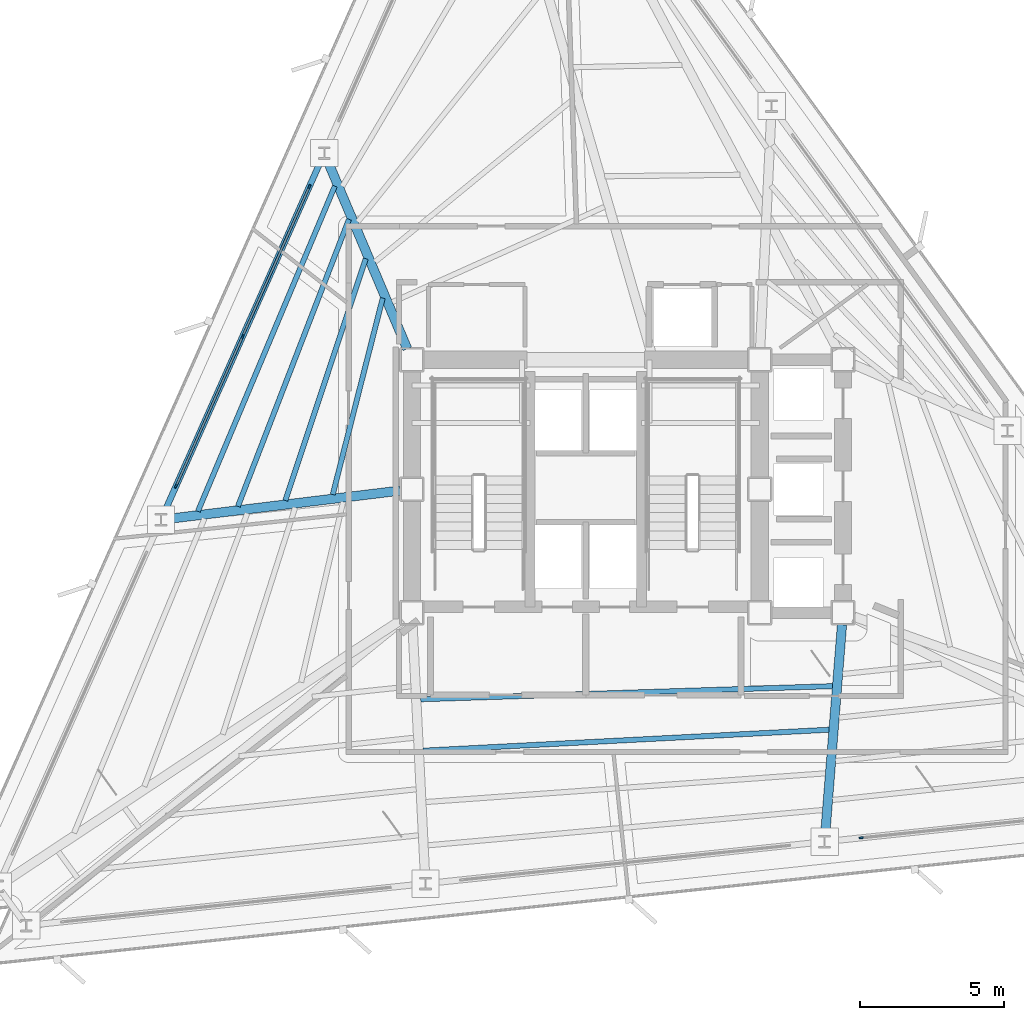
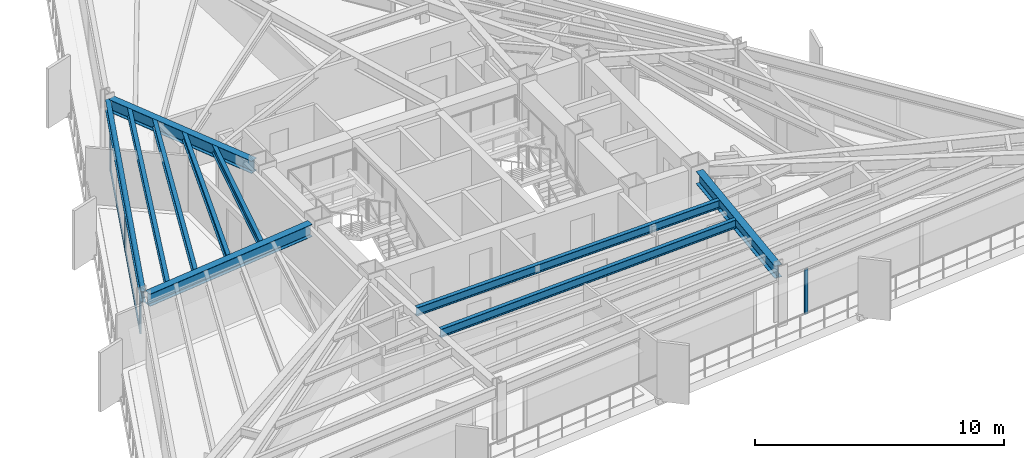
# One storey, part 3 of 12: 10 beams, 8 members, 2 elements without a shape of their own.
"""IFC4 building model written with IfcOpenShell, lengths in metres."""

from ifc_helpers import new_model, si_unit, direction, frame, origin, origin_2d, place, context, subcontext, project, spatial, rectangle, i_section, extrude, material, layer, layer_set, material_profile, profile_set, type_object, element, aggregate, save


model = new_model("IFC4")

# Units and contexts
model_context = context("Model", 3, precision=1e-05, world=origin(), true_north=direction((0.0, 1.0)))
body_context = subcontext(model_context, "Body", "Model", "MODEL_VIEW")
ifc_project = project(units=[si_unit("LENGTHUNIT", "METRE"), si_unit("AREAUNIT", "SQUARE_METRE"), si_unit("VOLUMEUNIT", "CUBIC_METRE"), si_unit("PLANEANGLEUNIT", "RADIAN"), si_unit("MASSUNIT", "GRAM", prefix="KILO")], contexts=[model_context])

# Site, building, storey
site_placement = place(None, origin())
site = spatial("IfcSite", under=ifc_project, at=site_placement, CompositionType="ELEMENT")
building_placement = place(site_placement, origin())
building = spatial("IfcBuilding", under=site, at=building_placement, Name="Rocaltana Carrier Exchange", CompositionType="ELEMENT")
storey_placement = place(building_placement, frame((0.0, 0.0, 104.639892578125)))
storey = spatial("IfcBuildingStorey", under=building, at=storey_placement, Name="L32", CompositionType="ELEMENT", Elevation=104.639892578125)

# Curtain wall, members
ifc_material_1 = material(Name="Aluminium 6063-T6", Category="aluminium")
ifc_layer = layer(ifc_material_1, 0.14990234375)
ifc_layer_set = layer_set([ifc_layer], Name="Aluminium 6063-T6")
curtain_wall_type = type_object("IfcCurtainWallType", Name="Mid-Tower Unitised Curtain Wall CW-03", PredefinedType="NOTDEFINED", material=ifc_layer_set)
curtain_wall_1_placement = place(storey_placement, origin())
curtain_wall_1 = element("IfcCurtainWall", 1, at=curtain_wall_1_placement, inside=storey, type_object=curtain_wall_type, Name="L32 CW-03 Run CW-L32-F2S2", PredefinedType="NOTDEFINED")
ifc_material_2 = material(Name="Aluminium 6063-T6", Category="aluminium")
ifc_material_profile_1 = material_profile(ifc_material_2, rectangle(XDim=0.06005859375, YDim=0.14990234375, at=origin_2d()), Name="AL-60X150")
ifc_profile_set_1 = profile_set([ifc_material_profile_1], Name="Aluminium 6063-T6")
member_type_1 = type_object("IfcMemberType", Name="CW-03 Mullion AL-60X150", PredefinedType="MULLION", material=ifc_profile_set_1)
member_1_placement = place(storey_placement, frame((-9.61865234375, 10.525634765625, 0.0), z_axis=(0.0, 0.0, 1.0), x_axis=(0.913542348315, -0.406743626669, 0.0)))
member_1 = element("IfcMember", 2, at=member_1_placement, type_object=member_type_1, Name="CW-03 mullion 1", PredefinedType="MULLION", context=body_context, shape_type="SweptSolid", body=[
    extrude(rectangle(XDim=0.06005859375, YDim=0.14990234375, at=origin_2d()), origin(), (0.0, 0.0, 1.0), 2.218017578125),
])
member_2_placement = place(storey_placement, frame((-11.9384765625, 5.3154296875, 0.0), z_axis=(0.0, 0.0, 1.0), x_axis=(0.913542348315, -0.406743626669, 0.0)))
member_2 = element("IfcMember", 3, at=member_2_placement, type_object=member_type_1, Name="CW-03 mullion 2", PredefinedType="MULLION", context=body_context, shape_type="SweptSolid", body=[
    extrude(rectangle(XDim=0.06005859375, YDim=0.14990234375, at=origin_2d()), origin(), (0.0, 0.0, 1.0), 2.218017578125),
])
member_3_placement = place(storey_placement, frame((-14.25830078125, 0.105224609375, 0.0), z_axis=(0.0, 0.0, 1.0), x_axis=(0.913542348315, -0.406743626669, 0.0)))
member_3 = element("IfcMember", 4, at=member_3_placement, type_object=member_type_1, Name="CW-03 mullion 3", PredefinedType="MULLION", context=body_context, shape_type="SweptSolid", body=[
    extrude(rectangle(XDim=0.06005859375, YDim=0.14990234375, at=origin_2d()), origin(), (0.0, 0.0, 1.0), 2.218017578125),
])

# Curtain wall, member
curtain_wall_2_placement = place(storey_placement, origin())
curtain_wall_2 = element("IfcCurtainWall", 5, at=curtain_wall_2_placement, inside=storey, type_object=curtain_wall_type, Name="L32 CW-03 Run CW-L32-F3S3", PredefinedType="NOTDEFINED")
member_4_placement = place(storey_placement, frame((9.584228515625, -12.1328125, 0.0), z_axis=(0.0, 0.0, 1.0), x_axis=(-0.104521806959, 0.994522594952, 0.0)))
member_4 = element("IfcMember", 6, at=member_4_placement, type_object=member_type_1, Name="CW-03 mullion 1", PredefinedType="MULLION", context=body_context, shape_type="SweptSolid", body=[
    extrude(rectangle(XDim=0.06005859375, YDim=0.14990234375, at=origin_2d()), origin(), (0.0, 0.0, 1.0), 2.218017578125),
])
aggregate(curtain_wall_2, [member_4])

# Member
ifc_material_3 = material(Name="Aluminium 6063-T6", Category="aluminium")
ifc_material_profile_2 = material_profile(ifc_material_3, rectangle(XDim=0.06005859375, YDim=0.14990234375, at=origin_2d()), Name="AL-60X150")
ifc_profile_set_2 = profile_set([ifc_material_profile_2], Name="Aluminium 6063-T6")
member_type_2 = type_object("IfcMemberType", Name="CW-03 Transom AL-60X150", PredefinedType="USERDEFINED", material=ifc_profile_set_2)
member_5_placement = place(storey_placement, frame((-9.630859375, 10.498291015625, 0.030029296875), z_axis=(-0.406740464784, -0.913543756099, 0.0), x_axis=(0.913543756099, -0.406740464784, 0.0)))
member_5 = element("IfcMember", 7, at=member_5_placement, type_object=member_type_2, Name="CW-03 transom 1.1", ObjectType="TRANSOM", PredefinedType="USERDEFINED", context=body_context, shape_type="SweptSolid", body=[
    extrude(rectangle(XDim=0.06005859375, YDim=0.14990234375, at=origin_2d()), origin(), (0.0, 0.0, 1.0), 5.643310546875),
])

member_6_placement = place(storey_placement, frame((-9.630859375, 10.498291015625, 2.18798828125), z_axis=(-0.406740464784, -0.913543756099, 0.0), x_axis=(0.913543756099, -0.406740464784, 0.0)))
member_6 = element("IfcMember", 8, at=member_6_placement, type_object=member_type_2, Name="CW-03 transom 1.2", ObjectType="TRANSOM", PredefinedType="USERDEFINED", context=body_context, shape_type="SweptSolid", body=[
    extrude(rectangle(XDim=0.06005859375, YDim=0.14990234375, at=origin_2d()), origin(), (0.0, 0.0, 1.0), 5.643310546875),
])

member_7_placement = place(storey_placement, frame((-11.95068359375, 5.287841796875, 0.030029296875), z_axis=(-0.406756540093, -0.91353659866, 0.0), x_axis=(0.91353659866, -0.406756540093, 0.0)))
member_7 = element("IfcMember", 9, at=member_7_placement, type_object=member_type_2, Name="CW-03 transom 2.1", ObjectType="TRANSOM", PredefinedType="USERDEFINED", context=body_context, shape_type="SweptSolid", body=[
    extrude(rectangle(XDim=0.06005859375, YDim=0.14990234375, at=origin_2d()), origin(), (0.0, 0.0, 1.0), 5.643310546875),
])

member_8_placement = place(storey_placement, frame((-11.95068359375, 5.287841796875, 2.18798828125), z_axis=(-0.406756540093, -0.91353659866, 0.0), x_axis=(0.91353659866, -0.406756540093, 0.0)))
member_8 = element("IfcMember", 10, at=member_8_placement, type_object=member_type_2, Name="CW-03 transom 2.2", ObjectType="TRANSOM", PredefinedType="USERDEFINED", context=body_context, shape_type="SweptSolid", body=[
    extrude(rectangle(XDim=0.06005859375, YDim=0.14990234375, at=origin_2d()), origin(), (0.0, 0.0, 1.0), 5.643310546875),
])

aggregate(curtain_wall_1, [member_1, member_2, member_3, member_5, member_6, member_7, member_8])

# Beams
ifc_material_4 = material(Name="Steel S355", Category="steel")
ifc_material_profile_3 = material_profile(ifc_material_4, i_section(OverallWidth=0.179931640625, OverallDepth=0.4130859375, WebThickness=0.009765625, FlangeThickness=0.01611328125, FilletRadius=0.012939453125, at=origin_2d()), Name="W16X50")
ifc_profile_set_3 = profile_set([ifc_material_profile_3], Name="Steel S355")
beam_type_1 = type_object("IfcBeamType", Name="Floor Joist W16X50", PredefinedType="JOIST", material=ifc_profile_set_3)
beam_1_placement = place(storey_placement, frame((-7.06396484375, 6.651123046875, 2.58154296875), z_axis=(-0.246610770256, -0.96911461035, 0.0), x_axis=(0.96911461035, -0.246610770256, 0.0)))
element("IfcBeam", 11, at=beam_1_placement, inside=storey, type_object=beam_type_1, Name="FJ-L32-06-1", PredefinedType="JOIST", context=body_context, shape_type="SweptSolid", body=[
    extrude(i_section(OverallWidth=0.179931640625, OverallDepth=0.4130859375, WebThickness=0.009765625, FlangeThickness=0.01611328125, FilletRadius=0.012939453125, at=origin_2d()), origin(), (0.0, 0.0, 1.0), 7.05859375),
])
beam_2_placement = place(storey_placement, frame((-7.65380859375, 8.021484375, 2.58154296875), z_axis=(-0.315534018632, -0.948914265403, 0.0), x_axis=(0.948914265403, -0.315534018632, 0.0)))
element("IfcBeam", 12, at=beam_2_placement, inside=storey, type_object=beam_type_1, Name="FJ-L32-06-2", PredefinedType="JOIST", context=body_context, shape_type="SweptSolid", body=[
    extrude(i_section(OverallWidth=0.179931640625, OverallDepth=0.4130859375, WebThickness=0.009765625, FlangeThickness=0.01611328125, FilletRadius=0.012939453125, at=origin_2d()), origin(), (0.0, 0.0, 1.0), 8.869384765625),
])
beam_3_placement = place(storey_placement, frame((-8.239990234375, 9.390869140625, 2.58154296875), z_axis=(-0.360736399808, -0.93266781324, 0.0), x_axis=(0.93266781324, -0.360736399808, 0.0)))
element("IfcBeam", 13, at=beam_3_placement, inside=storey, type_object=beam_type_1, Name="FJ-L32-06-3", PredefinedType="JOIST", context=body_context, shape_type="SweptSolid", body=[
    extrude(i_section(OverallWidth=0.179931640625, OverallDepth=0.4130859375, WebThickness=0.009765625, FlangeThickness=0.01611328125, FilletRadius=0.012939453125, at=origin_2d()), origin(), (0.0, 0.0, 1.0), 10.71142578125),
])
beam_4_placement = place(storey_placement, frame((-8.73193359375, 10.543701171875, 2.58154296875), z_axis=(-0.388065001022, -0.92163200627, 0.0), x_axis=(0.92163200627, -0.388065001022, 0.0)))
element("IfcBeam", 14, at=beam_4_placement, inside=storey, type_object=beam_type_1, Name="FJ-L32-06-4", PredefinedType="JOIST", context=body_context, shape_type="SweptSolid", body=[
    extrude(i_section(OverallWidth=0.179931640625, OverallDepth=0.4130859375, WebThickness=0.009765625, FlangeThickness=0.01611328125, FilletRadius=0.012939453125, at=origin_2d()), origin(), (0.0, 0.0, 1.0), 12.27734375),
])
beam_5_placement = place(storey_placement, frame((-5.743408203125, -7.3115234375, 2.58154296875), z_axis=(0.999491466451, 0.031887434705, 0.0), x_axis=(-0.031887434705, 0.999491466451, 0.0)))
element("IfcBeam", 15, at=beam_5_placement, inside=storey, type_object=beam_type_1, Name="FJ-L32-10-1", PredefinedType="JOIST", context=body_context, shape_type="SweptSolid", body=[
    extrude(i_section(OverallWidth=0.179931640625, OverallDepth=0.4130859375, WebThickness=0.009765625, FlangeThickness=0.01611328125, FilletRadius=0.012939453125, at=origin_2d()), origin(), (0.0, 0.0, 1.0), 14.34033203125),
])
beam_6_placement = place(storey_placement, frame((-5.654052734375, -9.099609375, 2.58154296875), z_axis=(0.998672130868, 0.051516745125, 0.0), x_axis=(-0.051516745125, 0.998672130868, 0.0)))
element("IfcBeam", 16, at=beam_6_placement, inside=storey, type_object=beam_type_1, Name="FJ-L32-10-2", PredefinedType="JOIST", context=body_context, shape_type="SweptSolid", body=[
    extrude(i_section(OverallWidth=0.179931640625, OverallDepth=0.4130859375, WebThickness=0.009765625, FlangeThickness=0.01611328125, FilletRadius=0.012939453125, at=origin_2d()), origin(), (0.0, 0.0, 1.0), 14.141357421875),
])
ifc_material_5 = material(Name="Steel S355", Category="steel")
ifc_material_profile_4 = material_profile(ifc_material_5, i_section(OverallWidth=0.323974609375, OverallDepth=0.611083984375, WebThickness=0.0126953125, FlangeThickness=0.01904296875, FilletRadius=0.01611328125, at=origin_2d()), Name="W24X104")
ifc_profile_set_4 = profile_set([ifc_material_profile_4], Name="Steel S355")
beam_type_2 = type_object("IfcBeamType", Name="Radial Girder W24X104", PredefinedType="BEAM", material=ifc_profile_set_4)
beam_7_placement = place(storey_placement, frame((-6.212646484375, 4.884033203125, 2.482666015625), z_axis=(-0.39010127794, 0.920771954911, 0.0), x_axis=(-0.920771954911, -0.39010127794, 0.0)))
element("IfcBeam", 17, at=beam_7_placement, inside=storey, type_object=beam_type_2, Name="RG-L32-06", PredefinedType="BEAM", context=body_context, shape_type="SweptSolid", body=[
    extrude(i_section(OverallWidth=0.323974609375, OverallDepth=0.611083984375, WebThickness=0.0126953125, FlangeThickness=0.01904296875, FilletRadius=0.01611328125, at=origin_2d()), origin(), (0.0, 0.0, 1.0), 7.198974609375),
])
beam_8_placement = place(storey_placement, frame((-6.4638671875, -0.050537109375, 2.482666015625), z_axis=(-0.99265077601, -0.121014201177, 0.0), x_axis=(0.121014201177, -0.99265077601, 0.0)))
element("IfcBeam", 18, at=beam_8_placement, inside=storey, type_object=beam_type_2, Name="RG-L32-07", PredefinedType="BEAM", context=body_context, shape_type="SweptSolid", body=[
    extrude(i_section(OverallWidth=0.323974609375, OverallDepth=0.611083984375, WebThickness=0.0126953125, FlangeThickness=0.01904296875, FilletRadius=0.01611328125, at=origin_2d()), origin(), (0.0, 0.0, 1.0), 8.1787109375),
])
beam_9_placement = place(storey_placement, frame((8.916748046875, -4.7158203125, 2.482666015625), z_axis=(-0.079955676703, -0.996798419824, 0.0), x_axis=(0.996798419824, -0.079955676703, 0.0)))
element("IfcBeam", 19, at=beam_9_placement, inside=storey, type_object=beam_type_2, Name="RG-L32-11", PredefinedType="BEAM", context=body_context, shape_type="SweptSolid", body=[
    extrude(i_section(OverallWidth=0.323974609375, OverallDepth=0.611083984375, WebThickness=0.0126953125, FlangeThickness=0.01904296875, FilletRadius=0.01611328125, at=origin_2d()), origin(), (0.0, 0.0, 1.0), 7.377197265625),
])
ifc_material_6 = material(Name="Steel S355", Category="steel")
ifc_material_profile_5 = material_profile(ifc_material_6, i_section(OverallWidth=0.2119140625, OverallDepth=0.5439453125, WebThickness=0.01318359375, FlangeThickness=0.021240234375, FilletRadius=0.014892578125, at=origin_2d()), Name="W21X83")
ifc_profile_set_5 = profile_set([ifc_material_profile_5], Name="Steel S355")
beam_type_3 = type_object("IfcBeamType", Name="Spandrel Edge Beam W21X83", PredefinedType="SPANDREL", material=ifc_profile_set_5)
beam_10_placement = place(storey_placement, frame((-9.1787109375, 11.513916015625, 2.51611328125), z_axis=(-0.406747642326, -0.913540560382, 0.0), x_axis=(0.913540560382, -0.406747642326, 0.0)))
element("IfcBeam", 20, at=beam_10_placement, inside=storey, type_object=beam_type_3, Name="SP-L32-06", PredefinedType="SPANDREL", context=body_context, shape_type="SweptSolid", body=[
    extrude(i_section(OverallWidth=0.2119140625, OverallDepth=0.5439453125, WebThickness=0.01318359375, FlangeThickness=0.021240234375, FilletRadius=0.014892578125, at=origin_2d()), origin(), (0.0, 0.0, 1.0), 13.570556640625),
])

save(model, "model.ifc")
